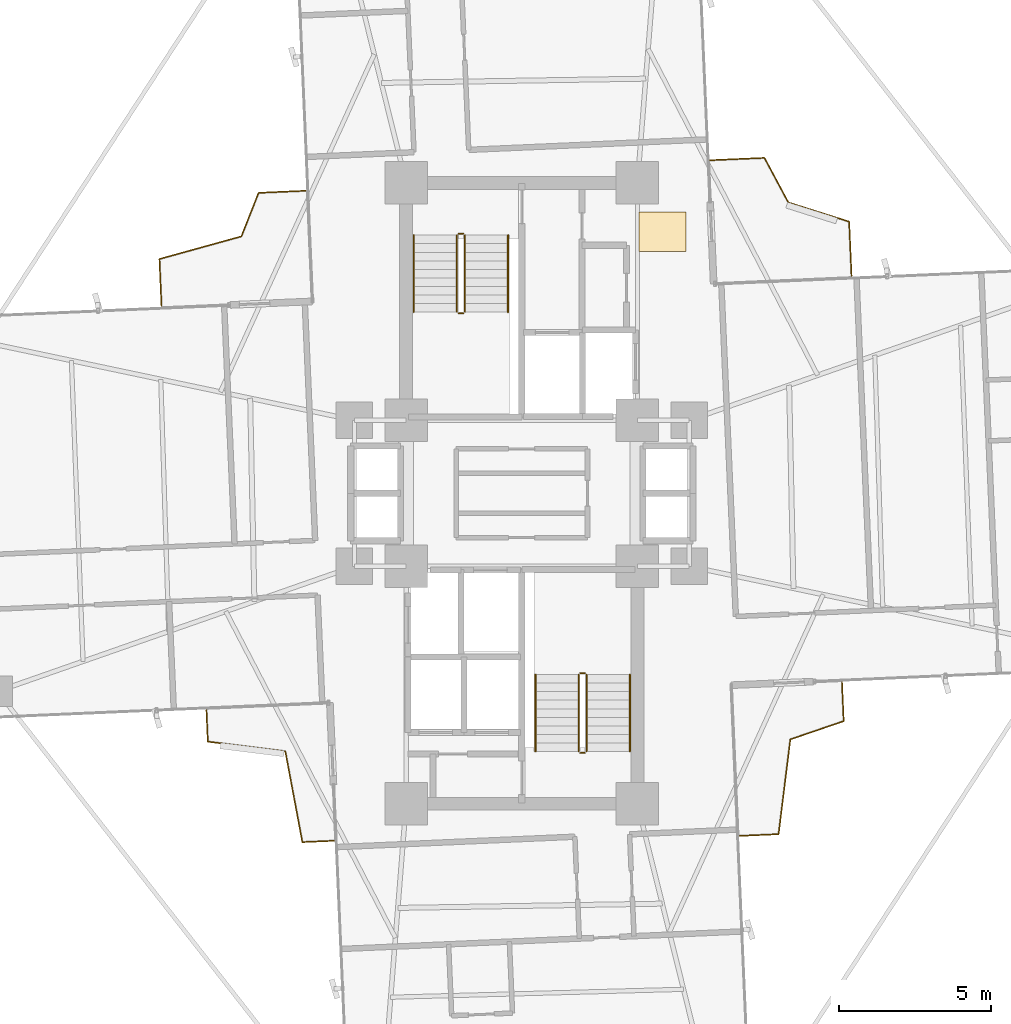
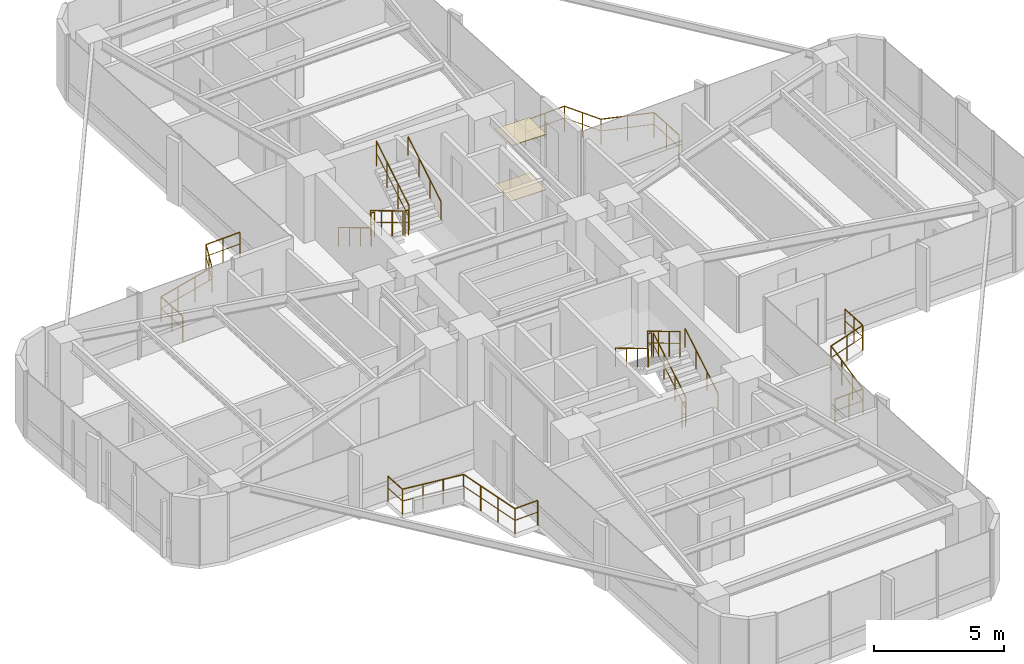
# One storey, part 26 of 26: 16 railings, 2 coverings.
"""IFC4 building model written with IfcOpenShell, lengths in metres."""

from ifc_helpers import new_model, si_unit, direction, frame, origin, origin_2d, place, context, subcontext, project, spatial, polyline, circle, outline, extrude, material, layer, layer_set, type_object, element, save


model = new_model("IFC4")

# Units and contexts
model_context = context("Model", 3, precision=1e-05, world=origin(), true_north=direction((0.0, 1.0)))
body_context = subcontext(model_context, "Body", "Model", "MODEL_VIEW")
ifc_project = project(units=[si_unit("LENGTHUNIT", "METRE"), si_unit("AREAUNIT", "SQUARE_METRE"), si_unit("VOLUMEUNIT", "CUBIC_METRE"), si_unit("PLANEANGLEUNIT", "RADIAN"), si_unit("MASSUNIT", "GRAM", prefix="KILO")], contexts=[model_context])

# Site, building, storey
site_placement = place(None, origin())
site = spatial("IfcSite", under=ifc_project, at=site_placement, CompositionType="ELEMENT")
building_placement = place(site_placement, origin())
building = spatial("IfcBuilding", under=site, at=building_placement, Name="Sahyath Konkavel Grand Hotel", CompositionType="ELEMENT")
storey_placement = place(building_placement, frame((0.0, 0.0, 100.25)))
storey = spatial("IfcBuildingStorey", under=building, at=storey_placement, Name="L27", CompositionType="ELEMENT", Elevation=100.25)

# Coverings
ifc_material_1 = material(Name="Perforated Acoustic Gypsum and Teak Baffle Ceiling")
ifc_layer_1 = layer(ifc_material_1, 0.044921875)
ifc_layer_set_1 = layer_set([ifc_layer_1], Name="Perforated Acoustic Gypsum and Teak Baffle Ceiling")
covering_type_1 = type_object("IfcCoveringType", Name="COV-ACOUSTIC-CLG", PredefinedType="CEILING", material=ifc_layer_set_1)
covering_1_placement = place(storey_placement, frame((0.0, 0.0, 2.590087890625)))
element("IfcCovering", 1, at=covering_1_placement, inside=storey, type_object=covering_type_1, Name="L27 Core Vestibule Acoustic Ceiling", PredefinedType="CEILING", context=body_context, shape_type="SweptSolid", body=[
    extrude(outline(polyline([(3.85009765625, 7.949951171875), (5.39990234375, 7.949951171875), (5.39990234375, 9.25), (3.85009765625, 9.25), (3.85009765625, 7.949951171875)])), origin(), (0.0, 0.0, 1.0), 0.039794921875),
])
ifc_material_2 = material(Name="Polished Konkan Aggregate Terrazzo Flooring")
ifc_layer_2 = layer(ifc_material_2, 0.02001953125)
ifc_layer_set_2 = layer_set([ifc_layer_2], Name="Polished Konkan Aggregate Terrazzo Flooring")
covering_type_2 = type_object("IfcCoveringType", Name="COV-TERRAZZO", PredefinedType="FLOORING", material=ifc_layer_set_2)
covering_2_placement = place(storey_placement, origin())
element("IfcCovering", 2, at=covering_2_placement, inside=storey, type_object=covering_type_2, Name="L27 Core Vestibule Terrazzo Flooring", PredefinedType="FLOORING", context=body_context, shape_type="SweptSolid", body=[
    extrude(outline(polyline([(3.85009765625, 7.949951171875), (5.39990234375, 7.949951171875), (5.39990234375, 9.25), (3.85009765625, 9.25), (3.85009765625, 7.949951171875)])), origin(), (0.0, 0.0, 1.0), 0.02001953125),
])

# Railings
ifc_material_3 = material(Name="Anodised Bronze Aluminium", Category="aluminium")
railing_type_1 = type_object("IfcRailingType", Name="RLG-BALC-1200", PredefinedType="GUARDRAIL", material=ifc_material_3)
railing_1_placement = place(storey_placement, frame((10.8359375, 7.139404296875, 0.0)))
element("IfcRailing", 3, at=railing_1_placement, inside=storey, type_object=railing_type_1, Name="L27 Winter-Garden Guard NE", PredefinedType="GUARDRAIL", context=body_context, shape_type="SweptSolid", body=[
    extrude(circle(Radius=0.02392578125, at=origin_2d()), frame((0.0, 0.001953125, 1.17578125), z_axis=(-0.043686047943, 0.99904530889, 0.0), x_axis=(-0.99904530889, -0.043686047943, 0.0)), (0.0, 0.0, 1.0), 1.784423828125),
    extrude(circle(Radius=0.01416015625, at=origin_2d()), frame((0.0, 0.001953125, 0.6240234375), z_axis=(-0.043686047943, 0.99904530889, 0.0), x_axis=(-0.99904530889, -0.043686047943, 0.0)), (0.0, 0.0, 1.0), 1.784423828125),
    extrude(circle(Radius=0.02392578125, at=origin_2d()), frame((-0.080078125, 1.787109375, 1.17578125), z_axis=(-0.953492887256, 0.301415517107, 0.0), x_axis=(-0.301415517107, -0.953492887256, 0.0)), (0.0, 0.0, 1.0), 2.093017578125),
    extrude(circle(Radius=0.01416015625, at=origin_2d()), frame((-0.080078125, 1.787109375, 0.6240234375), z_axis=(-0.953492887256, 0.301415517107, 0.0), x_axis=(-0.301415517107, -0.953492887256, 0.0)), (0.0, 0.0, 1.0), 2.093017578125),
    extrude(circle(Radius=0.02392578125, at=origin_2d()), frame((-2.07861328125, 2.42041015625, 1.17578125), z_axis=(-0.471870337472, 0.881667955987, 0.0), x_axis=(-0.881667955987, -0.471870337472, 0.0)), (0.0, 0.0, 1.0), 1.65576171875),
    extrude(circle(Radius=0.01416015625, at=origin_2d()), frame((-2.07861328125, 2.42041015625, 0.6240234375), z_axis=(-0.471870337472, 0.881667955987, 0.0), x_axis=(-0.881667955987, -0.471870337472, 0.0)), (0.0, 0.0, 1.0), 1.65576171875),
    extrude(circle(Radius=0.02392578125, at=origin_2d()), frame((-2.86279296875, 3.882080078125, 1.17578125), z_axis=(-0.99904530889, -0.043686047943, 0.0), x_axis=(0.043686047943, -0.99904530889, 0.0)), (0.0, 0.0, 1.0), 1.784423828125),
    extrude(circle(Radius=0.01416015625, at=origin_2d()), frame((-2.86279296875, 3.882080078125, 0.6240234375), z_axis=(-0.99904530889, -0.043686047943, 0.0), x_axis=(0.043686047943, -0.99904530889, 0.0)), (0.0, 0.0, 1.0), 1.784423828125),
    extrude(circle(Radius=0.02099609375, at=origin_2d()), origin(), (0.0, 0.0, 1.0), 1.15185546875),
    extrude(circle(Radius=0.02099609375, at=origin_2d()), frame((-0.0390625, 0.893310546875, 0.0)), (0.0, 0.0, 1.0), 1.15185546875),
    extrude(circle(Radius=0.02099609375, at=origin_2d()), frame((-0.078125, 1.78662109375, 0.0)), (0.0, 0.0, 1.0), 1.15185546875),
    extrude(circle(Radius=0.02099609375, at=origin_2d()), frame((-1.077880859375, 2.1025390625, 0.0)), (0.0, 0.0, 1.0), 1.15185546875),
    extrude(circle(Radius=0.02099609375, at=origin_2d()), frame((-2.07763671875, 2.418701171875, 0.0)), (0.0, 0.0, 1.0), 1.15185546875),
    extrude(circle(Radius=0.02099609375, at=origin_2d()), frame((-2.46923828125, 3.150390625, 0.0)), (0.0, 0.0, 1.0), 1.15185546875),
    extrude(circle(Radius=0.02099609375, at=origin_2d()), frame((-2.86083984375, 3.882080078125, 0.0)), (0.0, 0.0, 1.0), 1.15185546875),
    extrude(circle(Radius=0.02099609375, at=origin_2d()), frame((-3.754150390625, 3.843017578125, 0.0)), (0.0, 0.0, 1.0), 1.15185546875),
    extrude(circle(Radius=0.02099609375, at=origin_2d()), frame((-4.6474609375, 3.803955078125, 0.0)), (0.0, 0.0, 1.0), 1.15185546875),
])
railing_2_placement = place(storey_placement, frame((-7.100341796875, 9.94091796875, 0.0)))
element("IfcRailing", 4, at=railing_2_placement, inside=storey, type_object=railing_type_1, Name="L27 Winter-Garden Guard NW", PredefinedType="GUARDRAIL", context=body_context, shape_type="SweptSolid", body=[
    extrude(circle(Radius=0.02392578125, at=origin_2d()), frame((-0.001953125, 0.0, 1.17578125), z_axis=(-0.999040639566, -0.043792699117, 0.0), x_axis=(0.043792699117, -0.999040639566, 0.0)), (0.0, 0.0, 1.0), 1.5458984375),
    extrude(circle(Radius=0.01416015625, at=origin_2d()), frame((-0.001953125, 0.0, 0.6240234375), z_axis=(-0.999040639566, -0.043792699117, 0.0), x_axis=(0.043792699117, -0.999040639566, 0.0)), (0.0, 0.0, 1.0), 1.5458984375),
    extrude(circle(Radius=0.02392578125, at=origin_2d()), frame((-1.549072265625, -0.06982421875, 1.17578125), z_axis=(-0.36681596084, -0.930293529416, 0.0), x_axis=(0.930293529416, -0.36681596084, 0.0)), (0.0, 0.0, 1.0), 1.5341796875),
    extrude(circle(Radius=0.01416015625, at=origin_2d()), frame((-1.549072265625, -0.06982421875, 0.6240234375), z_axis=(-0.36681596084, -0.930293529416, 0.0), x_axis=(0.930293529416, -0.36681596084, 0.0)), (0.0, 0.0, 1.0), 1.5341796875),
    extrude(circle(Radius=0.02392578125, at=origin_2d()), frame((-2.114501953125, -1.499267578125, 1.17578125), z_axis=(-0.963881306283, -0.266332174921, 0.0), x_axis=(0.266332174921, -0.963881306283, 0.0)), (0.0, 0.0, 1.0), 2.7900390625),
    extrude(circle(Radius=0.01416015625, at=origin_2d()), frame((-2.114501953125, -1.499267578125, 0.6240234375), z_axis=(-0.963881306283, -0.266332174921, 0.0), x_axis=(0.266332174921, -0.963881306283, 0.0)), (0.0, 0.0, 1.0), 2.7900390625),
    extrude(circle(Radius=0.02392578125, at=origin_2d()), frame((-4.8056640625, -2.244873046875, 1.17578125), z_axis=(0.043628605688, -0.999047819059, 0.0), x_axis=(0.999047819059, 0.043628605688, 0.0)), (0.0, 0.0, 1.0), 1.546142578125),
    extrude(circle(Radius=0.01416015625, at=origin_2d()), frame((-4.8056640625, -2.244873046875, 0.6240234375), z_axis=(0.043628605688, -0.999047819059, 0.0), x_axis=(0.999047819059, 0.043628605688, 0.0)), (0.0, 0.0, 1.0), 1.546142578125),
    extrude(circle(Radius=0.02099609375, at=origin_2d()), origin(), (0.0, 0.0, 1.0), 1.15185546875),
    extrude(circle(Radius=0.02099609375, at=origin_2d()), frame((-0.774169921875, -0.033935546875, 0.0)), (0.0, 0.0, 1.0), 1.15185546875),
    extrude(circle(Radius=0.02099609375, at=origin_2d()), frame((-1.54833984375, -0.06787109375, 0.0)), (0.0, 0.0, 1.0), 1.15185546875),
    extrude(circle(Radius=0.02099609375, at=origin_2d()), frame((-1.83056640625, -0.783203125, 0.0)), (0.0, 0.0, 1.0), 1.15185546875),
    extrude(circle(Radius=0.02099609375, at=origin_2d()), frame((-2.112548828125, -1.498779296875, 0.0)), (0.0, 0.0, 1.0), 1.15185546875),
    extrude(circle(Radius=0.02099609375, at=origin_2d()), frame((-3.01025390625, -1.746826171875, 0.0)), (0.0, 0.0, 1.0), 1.15185546875),
    extrude(circle(Radius=0.02099609375, at=origin_2d()), frame((-3.907958984375, -1.994873046875, 0.0)), (0.0, 0.0, 1.0), 1.15185546875),
    extrude(circle(Radius=0.02099609375, at=origin_2d()), frame((-4.8056640625, -2.242919921875, 0.0)), (0.0, 0.0, 1.0), 1.15185546875),
    extrude(circle(Radius=0.02099609375, at=origin_2d()), frame((-4.77197265625, -3.01708984375, 0.0)), (0.0, 0.0, 1.0), 1.15185546875),
    extrude(circle(Radius=0.02099609375, at=origin_2d()), frame((-4.738037109375, -3.79150390625, 0.0)), (0.0, 0.0, 1.0), 1.15185546875),
])
railing_3_placement = place(storey_placement, frame((-10.3623046875, -7.118896484375, 0.0)))
element("IfcRailing", 5, at=railing_3_placement, inside=storey, type_object=railing_type_1, Name="L27 Winter-Garden Guard SW", PredefinedType="GUARDRAIL", context=body_context, shape_type="SweptSolid", body=[
    extrude(circle(Radius=0.02392578125, at=origin_2d()), frame((0.0, -0.001953125, 1.17578125), z_axis=(0.043508281514, -0.999053066378, 0.0), x_axis=(0.999053066378, 0.043508281514, 0.0)), (0.0, 0.0, 1.0), 1.039794921875),
    extrude(circle(Radius=0.01416015625, at=origin_2d()), frame((0.0, -0.001953125, 0.6240234375), z_axis=(0.043508281514, -0.999053066378, 0.0), x_axis=(0.999053066378, 0.043508281514, 0.0)), (0.0, 0.0, 1.0), 1.039794921875),
    extrude(circle(Radius=0.02392578125, at=origin_2d()), frame((0.04736328125, -1.04296875, 1.17578125), z_axis=(0.992274949157, -0.1240581528, 0.0), x_axis=(0.1240581528, 0.992274949157, 0.0)), (0.0, 0.0, 1.0), 2.562255859375),
    extrude(circle(Radius=0.01416015625, at=origin_2d()), frame((0.04736328125, -1.04296875, 0.6240234375), z_axis=(0.992274949157, -0.1240581528, 0.0), x_axis=(0.1240581528, 0.992274949157, 0.0)), (0.0, 0.0, 1.0), 2.562255859375),
    extrude(circle(Radius=0.02392578125, at=origin_2d()), frame((2.59228515625, -1.363037109375, 1.17578125), z_axis=(0.184482837361, -0.982835735369, 0.0), x_axis=(0.982835735369, 0.184482837361, 0.0)), (0.0, 0.0, 1.0), 3.030517578125),
    extrude(circle(Radius=0.01416015625, at=origin_2d()), frame((2.59228515625, -1.363037109375, 0.6240234375), z_axis=(0.184482837361, -0.982835735369, 0.0), x_axis=(0.982835735369, 0.184482837361, 0.0)), (0.0, 0.0, 1.0), 3.030517578125),
    extrude(circle(Radius=0.02392578125, at=origin_2d()), frame((3.153564453125, -4.343505859375, 1.17578125), z_axis=(0.999053066378, 0.043508281514, 0.0), x_axis=(-0.043508281514, 0.999053066378, 0.0)), (0.0, 0.0, 1.0), 1.039794921875),
    extrude(circle(Radius=0.01416015625, at=origin_2d()), frame((3.153564453125, -4.343505859375, 0.6240234375), z_axis=(0.999053066378, 0.043508281514, 0.0), x_axis=(-0.043508281514, 0.999053066378, 0.0)), (0.0, 0.0, 1.0), 1.039794921875),
    extrude(circle(Radius=0.02099609375, at=origin_2d()), origin(), (0.0, 0.0, 1.0), 1.15185546875),
    extrude(circle(Radius=0.02099609375, at=origin_2d()), frame((0.04541015625, -1.042724609375, 0.0)), (0.0, 0.0, 1.0), 1.15185546875),
    extrude(circle(Radius=0.02099609375, at=origin_2d()), frame((0.894287109375, -1.14892578125, 0.0)), (0.0, 0.0, 1.0), 1.15185546875),
    extrude(circle(Radius=0.02099609375, at=origin_2d()), frame((1.742919921875, -1.2548828125, 0.0)), (0.0, 0.0, 1.0), 1.15185546875),
    extrude(circle(Radius=0.02099609375, at=origin_2d()), frame((2.591796875, -1.361083984375, 0.0)), (0.0, 0.0, 1.0), 1.15185546875),
    extrude(circle(Radius=0.02099609375, at=origin_2d()), frame((2.7783203125, -2.355224609375, 0.0)), (0.0, 0.0, 1.0), 1.15185546875),
    extrude(circle(Radius=0.02099609375, at=origin_2d()), frame((2.965087890625, -3.349365234375, 0.0)), (0.0, 0.0, 1.0), 1.15185546875),
    extrude(circle(Radius=0.02099609375, at=origin_2d()), frame((3.151611328125, -4.343505859375, 0.0)), (0.0, 0.0, 1.0), 1.15185546875),
    extrude(circle(Radius=0.02099609375, at=origin_2d()), frame((4.1943359375, -4.298095703125, 0.0)), (0.0, 0.0, 1.0), 1.15185546875),
])
railing_4_placement = place(storey_placement, frame((7.157958984375, -11.257568359375, 0.0)))
element("IfcRailing", 6, at=railing_4_placement, inside=storey, type_object=railing_type_1, Name="L27 Winter-Garden Guard SE", PredefinedType="GUARDRAIL", context=body_context, shape_type="SweptSolid", body=[
    extrude(circle(Radius=0.02392578125, at=origin_2d()), frame((0.001953125, 0.0, 1.17578125), z_axis=(0.999048597542, 0.043610775608, 0.0), x_axis=(-0.043610775608, 0.999048597542, 0.0)), (0.0, 0.0, 1.0), 1.278076171875),
    extrude(circle(Radius=0.01416015625, at=origin_2d()), frame((0.001953125, 0.0, 0.6240234375), z_axis=(0.999048597542, 0.043610775608, 0.0), x_axis=(-0.043610775608, 0.999048597542, 0.0)), (0.0, 0.0, 1.0), 1.278076171875),
    extrude(circle(Radius=0.02392578125, at=origin_2d()), frame((1.281005859375, 0.057861328125, 1.17578125), z_axis=(0.123125258361, 0.992391137986, 0.0), x_axis=(-0.992391137986, 0.123125258361, 0.0)), (0.0, 0.0, 1.0), 3.134765625),
    extrude(circle(Radius=0.01416015625, at=origin_2d()), frame((1.281005859375, 0.057861328125, 0.6240234375), z_axis=(0.123125258361, 0.992391137986, 0.0), x_axis=(-0.992391137986, 0.123125258361, 0.0)), (0.0, 0.0, 1.0), 3.134765625),
    extrude(circle(Radius=0.02392578125, at=origin_2d()), frame((1.669189453125, 3.171630859375, 1.17578125), z_axis=(0.946270181963, 0.323377090604, 0.0), x_axis=(-0.323377090604, 0.946270181963, 0.0)), (0.0, 0.0, 1.0), 1.847900390625),
    extrude(circle(Radius=0.01416015625, at=origin_2d()), frame((1.669189453125, 3.171630859375, 0.6240234375), z_axis=(0.946270181963, 0.323377090604, 0.0), x_axis=(-0.323377090604, 0.946270181963, 0.0)), (0.0, 0.0, 1.0), 1.847900390625),
    extrude(circle(Radius=0.02392578125, at=origin_2d()), frame((3.419677734375, 3.771728515625, 1.17578125), z_axis=(-0.043602479847, 0.999048959637, 0.0), x_axis=(-0.999048959637, -0.043602479847, 0.0)), (0.0, 0.0, 1.0), 1.2783203125),
    extrude(circle(Radius=0.01416015625, at=origin_2d()), frame((3.419677734375, 3.771728515625, 0.6240234375), z_axis=(-0.043602479847, 0.999048959637, 0.0), x_axis=(-0.999048959637, -0.043602479847, 0.0)), (0.0, 0.0, 1.0), 1.2783203125),
    extrude(circle(Radius=0.02099609375, at=origin_2d()), origin(), (0.0, 0.0, 1.0), 1.15185546875),
    extrude(circle(Radius=0.02099609375, at=origin_2d()), frame((0.640380859375, 0.02783203125, 0.0)), (0.0, 0.0, 1.0), 1.15185546875),
    extrude(circle(Radius=0.02099609375, at=origin_2d()), frame((1.28076171875, 0.055908203125, 0.0)), (0.0, 0.0, 1.0), 1.15185546875),
    extrude(circle(Radius=0.02099609375, at=origin_2d()), frame((1.40966796875, 1.09423828125, 0.0)), (0.0, 0.0, 1.0), 1.15185546875),
    extrude(circle(Radius=0.02099609375, at=origin_2d()), frame((1.538330078125, 2.132568359375, 0.0)), (0.0, 0.0, 1.0), 1.15185546875),
    extrude(circle(Radius=0.02099609375, at=origin_2d()), frame((1.667236328125, 3.1708984375, 0.0)), (0.0, 0.0, 1.0), 1.15185546875),
    extrude(circle(Radius=0.02099609375, at=origin_2d()), frame((2.54345703125, 3.47021484375, 0.0)), (0.0, 0.0, 1.0), 1.15185546875),
    extrude(circle(Radius=0.02099609375, at=origin_2d()), frame((3.419677734375, 3.769775390625, 0.0)), (0.0, 0.0, 1.0), 1.15185546875),
    extrude(circle(Radius=0.02099609375, at=origin_2d()), frame((3.3916015625, 4.41015625, 0.0)), (0.0, 0.0, 1.0), 1.15185546875),
    extrude(circle(Radius=0.02099609375, at=origin_2d()), frame((3.36376953125, 5.05078125, 0.0)), (0.0, 0.0, 1.0), 1.15185546875),
])
ifc_material_4 = material(Name="Steel E350", Category="steel")
railing_type_2 = type_object("IfcRailingType", Name="RLG-STAIR-GRD", PredefinedType="GUARDRAIL", material=ifc_material_4)
railing_5_placement = place(storey_placement, frame((-2.1298828125, 8.47998046875, 0.16748046875)))
element("IfcRailing", 7, at=railing_5_placement, inside=storey, type_object=railing_type_2, Name="L27 ST-1 stair guard 1", PredefinedType="GUARDRAIL", context=body_context, shape_type="SweptSolid", body=[
    extrude(circle(Radius=0.02392578125, at=origin_2d()), frame((0.0, -0.001708984375, 1.177001953125), z_axis=(0.0, -0.858159760407, 0.513382728203), x_axis=(1.0, 0.0, 0.0)), (0.0, 0.0, 1.0), 2.9326171875),
    extrude(circle(Radius=0.01416015625, at=origin_2d()), frame((0.0, -0.001708984375, 0.625), z_axis=(0.0, -0.858159760407, 0.513382728203), x_axis=(1.0, 0.0, 0.0)), (0.0, 0.0, 1.0), 2.9326171875),
    extrude(circle(Radius=0.02099609375, at=origin_2d()), origin(), (0.0, 0.0, 1.0), 1.15185546875),
    extrude(circle(Radius=0.02099609375, at=origin_2d()), frame((0.0, -0.840087890625, 0.50244140625)), (0.0, 0.0, 1.0), 1.15185546875),
    extrude(circle(Radius=0.02099609375, at=origin_2d()), frame((0.0, -1.679931640625, 1.005126953125)), (0.0, 0.0, 1.0), 1.15185546875),
    extrude(circle(Radius=0.02099609375, at=origin_2d()), frame((0.0, -2.52001953125, 1.507568359375)), (0.0, 0.0, 1.0), 1.15185546875),
])
railing_6_placement = place(storey_placement, frame((-2.080078125, 5.909912109375, 1.675048828125)))
element("IfcRailing", 8, at=railing_6_placement, inside=storey, type_object=railing_type_2, Name="L27 ST-1 stair guard 2", PredefinedType="GUARDRAIL", context=body_context, shape_type="SweptSolid", body=[
    extrude(circle(Radius=0.02392578125, at=origin_2d()), frame((0.001953125, 0.0, 1.17578125), z_axis=(1.0, 0.0, 0.0), x_axis=(0.0, 1.0, 0.0)), (0.0, 0.0, 1.0), 0.15625),
    extrude(circle(Radius=0.01416015625, at=origin_2d()), frame((0.001953125, 0.0, 0.6240234375), z_axis=(1.0, 0.0, 0.0), x_axis=(0.0, 1.0, 0.0)), (0.0, 0.0, 1.0), 0.15625),
    extrude(circle(Radius=0.02099609375, at=origin_2d()), origin(), (0.0, 0.0, 1.0), 1.15185546875),
    extrude(circle(Radius=0.02099609375, at=origin_2d()), frame((0.16015625, 0.0, 0.0)), (0.0, 0.0, 1.0), 1.15185546875),
])
railing_7_placement = place(storey_placement, frame((-1.8701171875, 5.9599609375, 1.842529296875)))
element("IfcRailing", 9, at=railing_7_placement, inside=storey, type_object=railing_type_2, Name="L27 ST-1 stair guard 3", PredefinedType="GUARDRAIL", context=body_context, shape_type="SweptSolid", body=[
    extrude(circle(Radius=0.02392578125, at=origin_2d()), frame((0.0, 0.001708984375, 1.177001953125), z_axis=(0.0, 0.858159760407, 0.513382728203), x_axis=(-1.0, 0.0, 0.0)), (0.0, 0.0, 1.0), 2.9326171875),
    extrude(circle(Radius=0.01416015625, at=origin_2d()), frame((0.0, 0.001708984375, 0.625), z_axis=(0.0, 0.858159760407, 0.513382728203), x_axis=(-1.0, 0.0, 0.0)), (0.0, 0.0, 1.0), 2.9326171875),
    extrude(circle(Radius=0.02099609375, at=origin_2d()), origin(), (0.0, 0.0, 1.0), 1.15185546875),
    extrude(circle(Radius=0.02099609375, at=origin_2d()), frame((0.0, 0.840087890625, 0.50244140625)), (0.0, 0.0, 1.0), 1.15185546875),
    extrude(circle(Radius=0.02099609375, at=origin_2d()), frame((0.0, 1.679931640625, 1.005126953125)), (0.0, 0.0, 1.0), 1.15185546875),
    extrude(circle(Radius=0.02099609375, at=origin_2d()), frame((0.0, 2.52001953125, 1.507568359375)), (0.0, 0.0, 1.0), 1.15185546875),
])
railing_8_placement = place(storey_placement, frame((-2.080078125, 8.530029296875, 0.0)))
element("IfcRailing", 10, at=railing_8_placement, inside=storey, type_object=railing_type_2, Name="L27 ST-1 stair guard 4", PredefinedType="GUARDRAIL", context=body_context, shape_type="SweptSolid", body=[
    extrude(circle(Radius=0.02392578125, at=origin_2d()), frame((0.001953125, 0.0, 1.17578125), z_axis=(1.0, 0.0, 0.0), x_axis=(0.0, 1.0, 0.0)), (0.0, 0.0, 1.0), 0.15625),
    extrude(circle(Radius=0.01416015625, at=origin_2d()), frame((0.001953125, 0.0, 0.6240234375), z_axis=(1.0, 0.0, 0.0), x_axis=(0.0, 1.0, 0.0)), (0.0, 0.0, 1.0), 0.15625),
    extrude(circle(Radius=0.02099609375, at=origin_2d()), origin(), (0.0, 0.0, 1.0), 1.15185546875),
    extrude(circle(Radius=0.02099609375, at=origin_2d()), frame((0.16015625, 0.0, 0.0)), (0.0, 0.0, 1.0), 1.15185546875),
])
railing_9_placement = place(storey_placement, frame((2.1298828125, -8.47998046875, 0.16748046875)))
element("IfcRailing", 11, at=railing_9_placement, inside=storey, type_object=railing_type_2, Name="L27 ST-2 stair guard 1", PredefinedType="GUARDRAIL", context=body_context, shape_type="SweptSolid", body=[
    extrude(circle(Radius=0.02392578125, at=origin_2d()), frame((0.0, 0.001708984375, 1.177001953125), z_axis=(0.0, 0.858159760407, 0.513382728203), x_axis=(-1.0, 0.0, 0.0)), (0.0, 0.0, 1.0), 2.9326171875),
    extrude(circle(Radius=0.01416015625, at=origin_2d()), frame((0.0, 0.001708984375, 0.625), z_axis=(0.0, 0.858159760407, 0.513382728203), x_axis=(-1.0, 0.0, 0.0)), (0.0, 0.0, 1.0), 2.9326171875),
    extrude(circle(Radius=0.02099609375, at=origin_2d()), origin(), (0.0, 0.0, 1.0), 1.15185546875),
    extrude(circle(Radius=0.02099609375, at=origin_2d()), frame((0.0, 0.840087890625, 0.50244140625)), (0.0, 0.0, 1.0), 1.15185546875),
    extrude(circle(Radius=0.02099609375, at=origin_2d()), frame((0.0, 1.679931640625, 1.005126953125)), (0.0, 0.0, 1.0), 1.15185546875),
    extrude(circle(Radius=0.02099609375, at=origin_2d()), frame((0.0, 2.52001953125, 1.507568359375)), (0.0, 0.0, 1.0), 1.15185546875),
])
railing_10_placement = place(storey_placement, frame((2.080078125, -5.909912109375, 1.675048828125)))
element("IfcRailing", 12, at=railing_10_placement, inside=storey, type_object=railing_type_2, Name="L27 ST-2 stair guard 2", PredefinedType="GUARDRAIL", context=body_context, shape_type="SweptSolid", body=[
    extrude(circle(Radius=0.02392578125, at=origin_2d()), frame((-0.001953125, 0.0, 1.17578125), z_axis=(-1.0, 0.0, 0.0), x_axis=(0.0, -1.0, 0.0)), (0.0, 0.0, 1.0), 0.15625),
    extrude(circle(Radius=0.01416015625, at=origin_2d()), frame((-0.001953125, 0.0, 0.6240234375), z_axis=(-1.0, 0.0, 0.0), x_axis=(0.0, -1.0, 0.0)), (0.0, 0.0, 1.0), 0.15625),
    extrude(circle(Radius=0.02099609375, at=origin_2d()), origin(), (0.0, 0.0, 1.0), 1.15185546875),
    extrude(circle(Radius=0.02099609375, at=origin_2d()), frame((-0.16015625, 0.0, 0.0)), (0.0, 0.0, 1.0), 1.15185546875),
])
railing_11_placement = place(storey_placement, frame((1.8701171875, -5.9599609375, 1.842529296875)))
element("IfcRailing", 13, at=railing_11_placement, inside=storey, type_object=railing_type_2, Name="L27 ST-2 stair guard 3", PredefinedType="GUARDRAIL", context=body_context, shape_type="SweptSolid", body=[
    extrude(circle(Radius=0.02392578125, at=origin_2d()), frame((0.0, -0.001708984375, 1.177001953125), z_axis=(0.0, -0.858159760407, 0.513382728203), x_axis=(1.0, 0.0, 0.0)), (0.0, 0.0, 1.0), 2.9326171875),
    extrude(circle(Radius=0.01416015625, at=origin_2d()), frame((0.0, -0.001708984375, 0.625), z_axis=(0.0, -0.858159760407, 0.513382728203), x_axis=(1.0, 0.0, 0.0)), (0.0, 0.0, 1.0), 2.9326171875),
    extrude(circle(Radius=0.02099609375, at=origin_2d()), origin(), (0.0, 0.0, 1.0), 1.15185546875),
    extrude(circle(Radius=0.02099609375, at=origin_2d()), frame((0.0, -0.840087890625, 0.50244140625)), (0.0, 0.0, 1.0), 1.15185546875),
    extrude(circle(Radius=0.02099609375, at=origin_2d()), frame((0.0, -1.679931640625, 1.005126953125)), (0.0, 0.0, 1.0), 1.15185546875),
    extrude(circle(Radius=0.02099609375, at=origin_2d()), frame((0.0, -2.52001953125, 1.507568359375)), (0.0, 0.0, 1.0), 1.15185546875),
])
railing_12_placement = place(storey_placement, frame((2.080078125, -8.530029296875, 0.0)))
element("IfcRailing", 14, at=railing_12_placement, inside=storey, type_object=railing_type_2, Name="L27 ST-2 stair guard 4", PredefinedType="GUARDRAIL", context=body_context, shape_type="SweptSolid", body=[
    extrude(circle(Radius=0.02392578125, at=origin_2d()), frame((-0.001953125, 0.0, 1.17578125), z_axis=(-1.0, 0.0, 0.0), x_axis=(0.0, -1.0, 0.0)), (0.0, 0.0, 1.0), 0.15625),
    extrude(circle(Radius=0.01416015625, at=origin_2d()), frame((-0.001953125, 0.0, 0.6240234375), z_axis=(-1.0, 0.0, 0.0), x_axis=(0.0, -1.0, 0.0)), (0.0, 0.0, 1.0), 0.15625),
    extrude(circle(Radius=0.02099609375, at=origin_2d()), origin(), (0.0, 0.0, 1.0), 1.15185546875),
    extrude(circle(Radius=0.02099609375, at=origin_2d()), frame((-0.16015625, 0.0, 0.0)), (0.0, 0.0, 1.0), 1.15185546875),
])
railing_type_3 = type_object("IfcRailingType", Name="RLG-STAIR-HND", PredefinedType="HANDRAIL", material=ifc_material_3)
railing_13_placement = place(storey_placement, frame((-3.550048828125, 8.47998046875, 0.16748046875)))
element("IfcRailing", 15, at=railing_13_placement, inside=storey, type_object=railing_type_3, Name="L27 ST-1 stair handrail 1", PredefinedType="HANDRAIL", context=body_context, shape_type="SweptSolid", body=[
    extrude(circle(Radius=0.02392578125, at=origin_2d()), frame((0.0, -0.001708984375, 0.876953125), z_axis=(0.0, -0.858159760407, 0.513382728203), x_axis=(1.0, 0.0, 0.0)), (0.0, 0.0, 1.0), 2.9326171875),
    extrude(circle(Radius=0.02099609375, at=origin_2d()), origin(), (0.0, 0.0, 1.0), 0.851806640625),
    extrude(circle(Radius=0.02099609375, at=origin_2d()), frame((0.0, -0.840087890625, 0.50244140625)), (0.0, 0.0, 1.0), 0.851806640625),
    extrude(circle(Radius=0.02099609375, at=origin_2d()), frame((0.0, -1.679931640625, 1.005126953125)), (0.0, 0.0, 1.0), 0.851806640625),
    extrude(circle(Radius=0.02099609375, at=origin_2d()), frame((0.0, -2.52001953125, 1.507568359375)), (0.0, 0.0, 1.0), 0.851806640625),
])
for number, where, name in (
    (16, (-0.449951171875, 5.9599609375, 1.842529296875), "L27 ST-1 stair handrail 2"),
    (17, (3.550048828125, -8.47998046875, 0.16748046875), "L27 ST-2 stair handrail 1"),
):
    element("IfcRailing", number, at=place(storey_placement, frame(where)), inside=storey, type_object=railing_type_3, Name=name, PredefinedType="HANDRAIL", context=body_context, shape_type="SweptSolid", body=[
        extrude(circle(Radius=0.02392578125, at=origin_2d()), frame((0.0, 0.001708984375, 0.876953125), z_axis=(0.0, 0.858159760407, 0.513382728203), x_axis=(-1.0, 0.0, 0.0)), (0.0, 0.0, 1.0), 2.9326171875),
        extrude(circle(Radius=0.02099609375, at=origin_2d()), origin(), (0.0, 0.0, 1.0), 0.851806640625),
        extrude(circle(Radius=0.02099609375, at=origin_2d()), frame((0.0, 0.840087890625, 0.50244140625)), (0.0, 0.0, 1.0), 0.851806640625),
        extrude(circle(Radius=0.02099609375, at=origin_2d()), frame((0.0, 1.679931640625, 1.005126953125)), (0.0, 0.0, 1.0), 0.851806640625),
        extrude(circle(Radius=0.02099609375, at=origin_2d()), frame((0.0, 2.52001953125, 1.507568359375)), (0.0, 0.0, 1.0), 0.851806640625),
    ])
railing_14_placement = place(storey_placement, frame((0.449951171875, -5.9599609375, 1.842529296875)))
element("IfcRailing", 18, at=railing_14_placement, inside=storey, type_object=railing_type_3, Name="L27 ST-2 stair handrail 2", PredefinedType="HANDRAIL", context=body_context, shape_type="SweptSolid", body=[
    extrude(circle(Radius=0.02392578125, at=origin_2d()), frame((0.0, -0.001708984375, 0.876953125), z_axis=(0.0, -0.858159760407, 0.513382728203), x_axis=(1.0, 0.0, 0.0)), (0.0, 0.0, 1.0), 2.9326171875),
    extrude(circle(Radius=0.02099609375, at=origin_2d()), origin(), (0.0, 0.0, 1.0), 0.851806640625),
    extrude(circle(Radius=0.02099609375, at=origin_2d()), frame((0.0, -0.840087890625, 0.50244140625)), (0.0, 0.0, 1.0), 0.851806640625),
    extrude(circle(Radius=0.02099609375, at=origin_2d()), frame((0.0, -1.679931640625, 1.005126953125)), (0.0, 0.0, 1.0), 0.851806640625),
    extrude(circle(Radius=0.02099609375, at=origin_2d()), frame((0.0, -2.52001953125, 1.507568359375)), (0.0, 0.0, 1.0), 0.851806640625),
])

save(model, "model.ifc")
